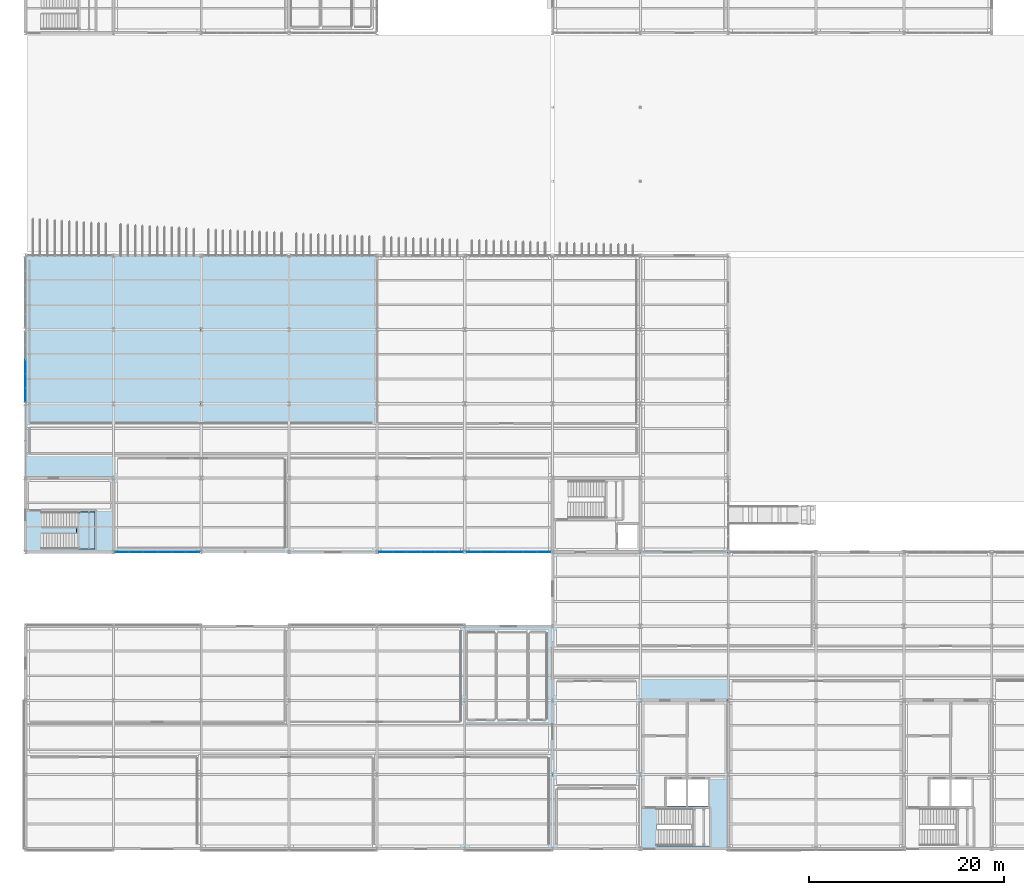
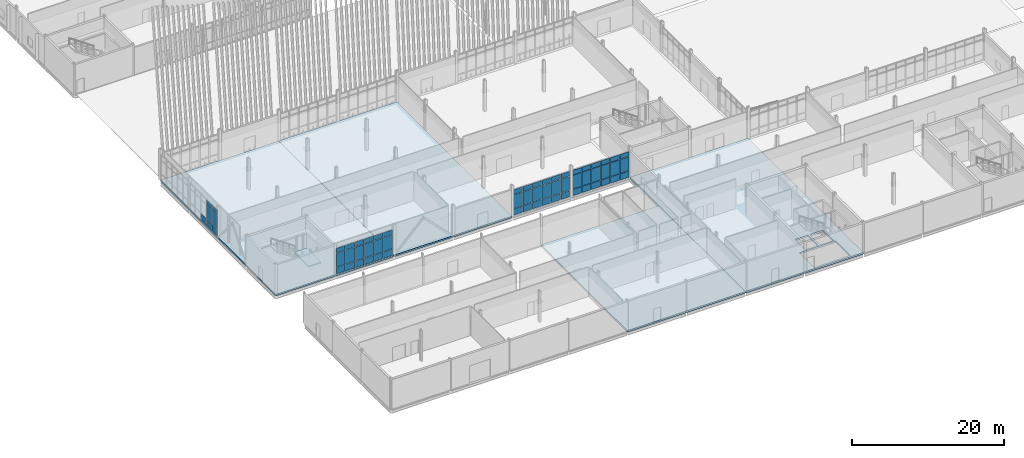
# One storey, part 121 of 161: 61 plates, 5 slabs, 5 elements without a shape of their own.
"""IFC4 building model written with IfcOpenShell, lengths in metres."""

from ifc_helpers import new_model, si_unit, direction, frame, origin, origin_2d, place, context, subcontext, project, spatial, polyline, rectangle, outline, extrude, material, layer, layer_set, type_object, element, aggregate, save


model = new_model("IFC4")

# Units and contexts
model_context = context("Model", 3, precision=1e-05, world=origin(), true_north=direction((0.0, 1.0)))
body_context = subcontext(model_context, "Body", "Model", "MODEL_VIEW")
ifc_project = project(units=[si_unit("LENGTHUNIT", "METRE"), si_unit("AREAUNIT", "SQUARE_METRE"), si_unit("VOLUMEUNIT", "CUBIC_METRE"), si_unit("PLANEANGLEUNIT", "RADIAN"), si_unit("MASSUNIT", "GRAM", prefix="KILO")], contexts=[model_context])

# Site, building, storey
site_placement = place(None, origin())
site = spatial("IfcSite", under=ifc_project, at=site_placement, CompositionType="ELEMENT")
building_placement = place(site_placement, origin())
building = spatial("IfcBuilding", under=site, at=building_placement, Name="Caisbarro Railhouse Central Library", CompositionType="ELEMENT")
storey_placement = place(building_placement, origin())
storey = spatial("IfcBuildingStorey", under=building, at=storey_placement, Name="L00", CompositionType="ELEMENT", Elevation=0.0)

# Curtain wall, plates
ifc_material_1 = material(Name="Anodised architectural aluminium", Category="aluminium")
curtain_wall_type = type_object("IfcCurtainWallType", Name="CW-CW02", PredefinedType="NOTDEFINED", material=ifc_material_1)
curtain_wall_1_placement = place(storey_placement, origin())
curtain_wall_1 = element("IfcCurtainWall", 1, at=curtain_wall_1_placement, inside=storey, type_object=curtain_wall_type, Name="CW02 curtain wall L00 #25", PredefinedType="NOTDEFINED")
ifc_material_2 = material(Name="Double low-e laminated solar-control glass", Category="glass")
ifc_layer_1 = layer(ifc_material_2, 0.028076171875, Name="Double low-e laminated solar-control glass")
ifc_layer_set_1 = layer_set([ifc_layer_1], Name="Double low-e laminated solar-control glass")
plate_type_1 = type_object("IfcPlateType", Name="CWP-CP28", PredefinedType="CURTAIN_PANEL", material=ifc_layer_set_1)
plate_1_placement = place(storey_placement, frame((9.899658203125, 30.39990234375, 0.06494140625), z_axis=(0.0, 0.0, 1.0), x_axis=(1.0, 0.0, 0.0)))
plate_1 = element("IfcPlate", 2, at=plate_1_placement, type_object=plate_type_1, Name="CW02 panel 1.1", PredefinedType="CURTAIN_PANEL", context=body_context, shape_type="SweptSolid", body=[
    extrude(rectangle(XDim=1.34912109375, YDim=0.028076171875, at=origin_2d()), origin(), (0.0, 0.0, 1.0), 1.0224609375),
])
plate_2_placement = place(storey_placement, frame((9.899658203125, 30.39990234375, 1.15234375), z_axis=(0.0, 0.0, 1.0), x_axis=(1.0, 0.0, 0.0)))
plate_2 = element("IfcPlate", 3, at=plate_2_placement, type_object=plate_type_1, Name="CW02 panel 1.2", PredefinedType="CURTAIN_PANEL", context=body_context, shape_type="SweptSolid", body=[
    extrude(rectangle(XDim=1.34912109375, YDim=0.028076171875, at=origin_2d()), origin(), (0.0, 0.0, 1.0), 2.215087890625),
])
plate_3_placement = place(storey_placement, frame((9.899658203125, 30.39990234375, 3.4326171875), z_axis=(0.0, 0.0, 1.0), x_axis=(1.0, 0.0, 0.0)))
plate_3 = element("IfcPlate", 4, at=plate_3_placement, type_object=plate_type_1, Name="CW02 panel 1.3", PredefinedType="CURTAIN_PANEL", context=body_context, shape_type="SweptSolid", body=[
    extrude(rectangle(XDim=1.34912109375, YDim=0.028076171875, at=origin_2d()), origin(), (0.0, 0.0, 1.0), 0.75244140625),
])
plate_4_placement = place(storey_placement, frame((11.330078125, 30.39990234375, 0.06494140625), z_axis=(0.0, 0.0, 1.0), x_axis=(1.0, 0.0, 0.0)))
plate_4 = element("IfcPlate", 5, at=plate_4_placement, type_object=plate_type_1, Name="CW02 panel 2.1", PredefinedType="CURTAIN_PANEL", context=body_context, shape_type="SweptSolid", body=[
    extrude(rectangle(XDim=1.381591796875, YDim=0.028076171875, at=origin_2d()), origin(), (0.0, 0.0, 1.0), 1.0224609375),
])
plate_5_placement = place(storey_placement, frame((11.330078125, 30.39990234375, 1.15234375), z_axis=(0.0, 0.0, 1.0), x_axis=(1.0, 0.0, 0.0)))
plate_5 = element("IfcPlate", 6, at=plate_5_placement, type_object=plate_type_1, Name="CW02 panel 2.2", PredefinedType="CURTAIN_PANEL", context=body_context, shape_type="SweptSolid", body=[
    extrude(rectangle(XDim=1.381591796875, YDim=0.028076171875, at=origin_2d()), origin(), (0.0, 0.0, 1.0), 2.215087890625),
])
plate_6_placement = place(storey_placement, frame((11.330078125, 30.39990234375, 3.4326171875), z_axis=(0.0, 0.0, 1.0), x_axis=(1.0, 0.0, 0.0)))
plate_6 = element("IfcPlate", 7, at=plate_6_placement, type_object=plate_type_1, Name="CW02 panel 2.3", PredefinedType="CURTAIN_PANEL", context=body_context, shape_type="SweptSolid", body=[
    extrude(rectangle(XDim=1.381591796875, YDim=0.028076171875, at=origin_2d()), origin(), (0.0, 0.0, 1.0), 0.75244140625),
])
plate_7_placement = place(storey_placement, frame((12.776611328125, 30.39990234375, 0.06494140625), z_axis=(0.0, 0.0, 1.0), x_axis=(1.0, 0.0, 0.0)))
plate_7 = element("IfcPlate", 8, at=plate_7_placement, type_object=plate_type_1, Name="CW02 panel 3.1", PredefinedType="CURTAIN_PANEL", context=body_context, shape_type="SweptSolid", body=[
    extrude(rectangle(XDim=1.381591796875, YDim=0.028076171875, at=origin_2d()), origin(), (0.0, 0.0, 1.0), 1.0224609375),
])
plate_8_placement = place(storey_placement, frame((12.776611328125, 30.39990234375, 1.15234375), z_axis=(0.0, 0.0, 1.0), x_axis=(1.0, 0.0, 0.0)))
plate_8 = element("IfcPlate", 9, at=plate_8_placement, type_object=plate_type_1, Name="CW02 panel 3.2", PredefinedType="CURTAIN_PANEL", context=body_context, shape_type="SweptSolid", body=[
    extrude(rectangle(XDim=1.381591796875, YDim=0.028076171875, at=origin_2d()), origin(), (0.0, 0.0, 1.0), 2.215087890625),
])
plate_9_placement = place(storey_placement, frame((12.776611328125, 30.39990234375, 3.4326171875), z_axis=(0.0, 0.0, 1.0), x_axis=(1.0, 0.0, 0.0)))
plate_9 = element("IfcPlate", 10, at=plate_9_placement, type_object=plate_type_1, Name="CW02 panel 3.3", PredefinedType="CURTAIN_PANEL", context=body_context, shape_type="SweptSolid", body=[
    extrude(rectangle(XDim=1.381591796875, YDim=0.028076171875, at=origin_2d()), origin(), (0.0, 0.0, 1.0), 0.75244140625),
])
plate_10_placement = place(storey_placement, frame((14.223388671875, 30.39990234375, 0.06494140625), z_axis=(0.0, 0.0, 1.0), x_axis=(1.0, 0.0, 0.0)))
plate_10 = element("IfcPlate", 11, at=plate_10_placement, type_object=plate_type_1, Name="CW02 panel 4.1", PredefinedType="CURTAIN_PANEL", context=body_context, shape_type="SweptSolid", body=[
    extrude(rectangle(XDim=1.381591796875, YDim=0.028076171875, at=origin_2d()), origin(), (0.0, 0.0, 1.0), 1.0224609375),
])
plate_11_placement = place(storey_placement, frame((14.223388671875, 30.39990234375, 1.15234375), z_axis=(0.0, 0.0, 1.0), x_axis=(1.0, 0.0, 0.0)))
plate_11 = element("IfcPlate", 12, at=plate_11_placement, type_object=plate_type_1, Name="CW02 panel 4.2", PredefinedType="CURTAIN_PANEL", context=body_context, shape_type="SweptSolid", body=[
    extrude(rectangle(XDim=1.381591796875, YDim=0.028076171875, at=origin_2d()), origin(), (0.0, 0.0, 1.0), 2.215087890625),
])
plate_12_placement = place(storey_placement, frame((14.223388671875, 30.39990234375, 3.4326171875), z_axis=(0.0, 0.0, 1.0), x_axis=(1.0, 0.0, 0.0)))
plate_12 = element("IfcPlate", 13, at=plate_12_placement, type_object=plate_type_1, Name="CW02 panel 4.3", PredefinedType="CURTAIN_PANEL", context=body_context, shape_type="SweptSolid", body=[
    extrude(rectangle(XDim=1.381591796875, YDim=0.028076171875, at=origin_2d()), origin(), (0.0, 0.0, 1.0), 0.75244140625),
])
plate_13_placement = place(storey_placement, frame((15.669921875, 30.39990234375, 0.06494140625), z_axis=(0.0, 0.0, 1.0), x_axis=(1.0, 0.0, 0.0)))
plate_13 = element("IfcPlate", 14, at=plate_13_placement, type_object=plate_type_1, Name="CW02 panel 5.1", PredefinedType="CURTAIN_PANEL", context=body_context, shape_type="SweptSolid", body=[
    extrude(rectangle(XDim=1.381591796875, YDim=0.028076171875, at=origin_2d()), origin(), (0.0, 0.0, 1.0), 1.0224609375),
])
plate_14_placement = place(storey_placement, frame((15.669921875, 30.39990234375, 1.15234375), z_axis=(0.0, 0.0, 1.0), x_axis=(1.0, 0.0, 0.0)))
plate_14 = element("IfcPlate", 15, at=plate_14_placement, type_object=plate_type_1, Name="CW02 panel 5.2", PredefinedType="CURTAIN_PANEL", context=body_context, shape_type="SweptSolid", body=[
    extrude(rectangle(XDim=1.381591796875, YDim=0.028076171875, at=origin_2d()), origin(), (0.0, 0.0, 1.0), 2.215087890625),
])
plate_15_placement = place(storey_placement, frame((15.669921875, 30.39990234375, 3.4326171875), z_axis=(0.0, 0.0, 1.0), x_axis=(1.0, 0.0, 0.0)))
plate_15 = element("IfcPlate", 16, at=plate_15_placement, type_object=plate_type_1, Name="CW02 panel 5.3", PredefinedType="CURTAIN_PANEL", context=body_context, shape_type="SweptSolid", body=[
    extrude(rectangle(XDim=1.381591796875, YDim=0.028076171875, at=origin_2d()), origin(), (0.0, 0.0, 1.0), 0.75244140625),
])
plate_16_placement = place(storey_placement, frame((17.100341796875, 30.39990234375, 0.06494140625), z_axis=(0.0, 0.0, 1.0), x_axis=(1.0, 0.0, 0.0)))
plate_16 = element("IfcPlate", 17, at=plate_16_placement, type_object=plate_type_1, Name="CW02 panel 6.1", PredefinedType="CURTAIN_PANEL", context=body_context, shape_type="SweptSolid", body=[
    extrude(rectangle(XDim=1.34912109375, YDim=0.028076171875, at=origin_2d()), origin(), (0.0, 0.0, 1.0), 1.0224609375),
])
plate_17_placement = place(storey_placement, frame((17.100341796875, 30.39990234375, 1.15234375), z_axis=(0.0, 0.0, 1.0), x_axis=(1.0, 0.0, 0.0)))
plate_17 = element("IfcPlate", 18, at=plate_17_placement, type_object=plate_type_1, Name="CW02 panel 6.2", PredefinedType="CURTAIN_PANEL", context=body_context, shape_type="SweptSolid", body=[
    extrude(rectangle(XDim=1.34912109375, YDim=0.028076171875, at=origin_2d()), origin(), (0.0, 0.0, 1.0), 2.215087890625),
])
plate_18_placement = place(storey_placement, frame((17.100341796875, 30.39990234375, 3.4326171875), z_axis=(0.0, 0.0, 1.0), x_axis=(1.0, 0.0, 0.0)))
plate_18 = element("IfcPlate", 19, at=plate_18_placement, type_object=plate_type_1, Name="CW02 panel 6.3", PredefinedType="CURTAIN_PANEL", context=body_context, shape_type="SweptSolid", body=[
    extrude(rectangle(XDim=1.34912109375, YDim=0.028076171875, at=origin_2d()), origin(), (0.0, 0.0, 1.0), 0.75244140625),
])
aggregate(curtain_wall_1, [plate_1, plate_2, plate_3, plate_4, plate_5, plate_6, plate_7, plate_8, plate_9, plate_10, plate_11, plate_12, plate_13, plate_14, plate_15, plate_16, plate_17, plate_18])

curtain_wall_2_placement = place(storey_placement, origin())
curtain_wall_2 = element("IfcCurtainWall", 20, at=curtain_wall_2_placement, inside=storey, type_object=curtain_wall_type, Name="CW02 curtain wall L00 #21", PredefinedType="NOTDEFINED")
ifc_layer_2 = layer(ifc_material_2, 0.0380859375, Name="Double low-e laminated solar-control glass")
ifc_layer_set_2 = layer_set([ifc_layer_2], Name="Double low-e laminated solar-control glass")
plate_type_2 = type_object("IfcPlateType", Name="CWP-CP38", PredefinedType="CURTAIN_PANEL", material=ifc_layer_set_2)
plate_19_placement = place(storey_placement, frame((0.0, 46.504150390625, 0.0751953125), z_axis=(0.0, 0.0, 1.0), x_axis=(0.0, 1.0, 0.0)))
plate_19 = element("IfcPlate", 21, at=plate_19_placement, type_object=plate_type_2, Name="CW02 panel 1.1", PredefinedType="CURTAIN_PANEL", context=body_context, shape_type="SweptSolid", body=[
    extrude(rectangle(XDim=1.3583984375, YDim=0.0380859375, at=origin_2d()), origin(), (0.0, 0.0, 1.0), 1.007568359375),
])
plate_20_placement = place(storey_placement, frame((0.0, 46.504150390625, 1.157470703125), z_axis=(0.0, 0.0, 1.0), x_axis=(0.0, 1.0, 0.0)))
plate_20 = element("IfcPlate", 22, at=plate_20_placement, type_object=plate_type_2, Name="CW02 panel 1.2", PredefinedType="CURTAIN_PANEL", context=body_context, shape_type="SweptSolid", body=[
    extrude(rectangle(XDim=1.3583984375, YDim=0.0380859375, at=origin_2d()), origin(), (0.0, 0.0, 1.0), 2.205078125),
])
plate_21_placement = place(storey_placement, frame((0.0, 46.504150390625, 3.4375), z_axis=(0.0, 0.0, 1.0), x_axis=(0.0, 1.0, 0.0)))
plate_21 = element("IfcPlate", 23, at=plate_21_placement, type_object=plate_type_2, Name="CW02 panel 1.3", PredefinedType="CURTAIN_PANEL", context=body_context, shape_type="SweptSolid", body=[
    extrude(rectangle(XDim=1.3583984375, YDim=0.0380859375, at=origin_2d()), origin(), (0.0, 0.0, 1.0), 0.737548828125),
])
plate_22_placement = place(storey_placement, frame((0.0, 47.944091796875, 0.0751953125), z_axis=(0.0, 0.0, 1.0), x_axis=(0.0, 1.0, 0.0)))
plate_22 = element("IfcPlate", 24, at=plate_22_placement, type_object=plate_type_2, Name="CW02 panel 2.1", PredefinedType="CURTAIN_PANEL", context=body_context, shape_type="SweptSolid", body=[
    extrude(rectangle(XDim=1.39111328125, YDim=0.0380859375, at=origin_2d()), origin(), (0.0, 0.0, 1.0), 1.007568359375),
])
plate_23_placement = place(storey_placement, frame((0.0, 47.944091796875, 1.157470703125), z_axis=(0.0, 0.0, 1.0), x_axis=(0.0, 1.0, 0.0)))
plate_23 = element("IfcPlate", 25, at=plate_23_placement, type_object=plate_type_2, Name="CW02 panel 2.2", PredefinedType="CURTAIN_PANEL", context=body_context, shape_type="SweptSolid", body=[
    extrude(rectangle(XDim=1.39111328125, YDim=0.0380859375, at=origin_2d()), origin(), (0.0, 0.0, 1.0), 2.205078125),
])
plate_24_placement = place(storey_placement, frame((0.0, 47.944091796875, 3.4375), z_axis=(0.0, 0.0, 1.0), x_axis=(0.0, 1.0, 0.0)))
plate_24 = element("IfcPlate", 26, at=plate_24_placement, type_object=plate_type_2, Name="CW02 panel 2.3", PredefinedType="CURTAIN_PANEL", context=body_context, shape_type="SweptSolid", body=[
    extrude(rectangle(XDim=1.39111328125, YDim=0.0380859375, at=origin_2d()), origin(), (0.0, 0.0, 1.0), 0.737548828125),
])
plate_25_placement = place(storey_placement, frame((0.0, 49.39990234375, 0.0751953125), z_axis=(0.0, 0.0, 1.0), x_axis=(0.0, 1.0, 0.0)))
plate_25 = element("IfcPlate", 27, at=plate_25_placement, type_object=plate_type_2, Name="CW02 panel 3.1", PredefinedType="CURTAIN_PANEL", context=body_context, shape_type="SweptSolid", body=[
    extrude(rectangle(XDim=1.39111328125, YDim=0.0380859375, at=origin_2d()), origin(), (0.0, 0.0, 1.0), 1.007568359375),
])
aggregate(curtain_wall_2, [plate_19, plate_20, plate_21, plate_22, plate_23, plate_24, plate_25])

curtain_wall_3_placement = place(storey_placement, origin())
curtain_wall_3 = element("IfcCurtainWall", 28, at=curtain_wall_3_placement, inside=storey, type_object=curtain_wall_type, Name="CW02 curtain wall L00 #26", PredefinedType="NOTDEFINED")
ifc_layer_3 = layer(ifc_material_2, 0.05810546875, Name="Double low-e laminated solar-control glass")
ifc_layer_set_3 = layer_set([ifc_layer_3], Name="Double low-e laminated solar-control glass")
plate_type_3 = type_object("IfcPlateType", Name="CWP-CP58", PredefinedType="CURTAIN_PANEL", material=ifc_layer_set_3)
plate_26_placement = place(storey_placement, frame((36.899658203125, 30.39990234375, 0.06494140625), z_axis=(0.0, 0.0, 1.0), x_axis=(1.0, 0.0, 0.0)))
plate_26 = element("IfcPlate", 29, at=plate_26_placement, type_object=plate_type_3, Name="CW02 panel 1.1", PredefinedType="CURTAIN_PANEL", context=body_context, shape_type="SweptSolid", body=[
    extrude(rectangle(XDim=1.34912109375, YDim=0.05810546875, at=origin_2d()), origin(), (0.0, 0.0, 1.0), 1.0224609375),
])
plate_27_placement = place(storey_placement, frame((36.899658203125, 30.39990234375, 1.15234375), z_axis=(0.0, 0.0, 1.0), x_axis=(1.0, 0.0, 0.0)))
plate_27 = element("IfcPlate", 30, at=plate_27_placement, type_object=plate_type_3, Name="CW02 panel 1.2", PredefinedType="CURTAIN_PANEL", context=body_context, shape_type="SweptSolid", body=[
    extrude(rectangle(XDim=1.34912109375, YDim=0.05810546875, at=origin_2d()), origin(), (0.0, 0.0, 1.0), 2.215087890625),
])
plate_28_placement = place(storey_placement, frame((36.899658203125, 30.39990234375, 3.4326171875), z_axis=(0.0, 0.0, 1.0), x_axis=(1.0, 0.0, 0.0)))
plate_28 = element("IfcPlate", 31, at=plate_28_placement, type_object=plate_type_3, Name="CW02 panel 1.3", PredefinedType="CURTAIN_PANEL", context=body_context, shape_type="SweptSolid", body=[
    extrude(rectangle(XDim=1.34912109375, YDim=0.05810546875, at=origin_2d()), origin(), (0.0, 0.0, 1.0), 0.75244140625),
])
plate_29_placement = place(storey_placement, frame((38.330078125, 30.39990234375, 0.06494140625), z_axis=(0.0, 0.0, 1.0), x_axis=(1.0, 0.0, 0.0)))
plate_29 = element("IfcPlate", 32, at=plate_29_placement, type_object=plate_type_3, Name="CW02 panel 2.1", PredefinedType="CURTAIN_PANEL", context=body_context, shape_type="SweptSolid", body=[
    extrude(rectangle(XDim=1.381591796875, YDim=0.05810546875, at=origin_2d()), origin(), (0.0, 0.0, 1.0), 1.0224609375),
])
plate_30_placement = place(storey_placement, frame((38.330078125, 30.39990234375, 1.15234375), z_axis=(0.0, 0.0, 1.0), x_axis=(1.0, 0.0, 0.0)))
plate_30 = element("IfcPlate", 33, at=plate_30_placement, type_object=plate_type_3, Name="CW02 panel 2.2", PredefinedType="CURTAIN_PANEL", context=body_context, shape_type="SweptSolid", body=[
    extrude(rectangle(XDim=1.381591796875, YDim=0.05810546875, at=origin_2d()), origin(), (0.0, 0.0, 1.0), 2.215087890625),
])
plate_31_placement = place(storey_placement, frame((38.330078125, 30.39990234375, 3.4326171875), z_axis=(0.0, 0.0, 1.0), x_axis=(1.0, 0.0, 0.0)))
plate_31 = element("IfcPlate", 34, at=plate_31_placement, type_object=plate_type_3, Name="CW02 panel 2.3", PredefinedType="CURTAIN_PANEL", context=body_context, shape_type="SweptSolid", body=[
    extrude(rectangle(XDim=1.381591796875, YDim=0.05810546875, at=origin_2d()), origin(), (0.0, 0.0, 1.0), 0.75244140625),
])
plate_32_placement = place(storey_placement, frame((39.776611328125, 30.39990234375, 0.06494140625), z_axis=(0.0, 0.0, 1.0), x_axis=(1.0, 0.0, 0.0)))
plate_32 = element("IfcPlate", 35, at=plate_32_placement, type_object=plate_type_3, Name="CW02 panel 3.1", PredefinedType="CURTAIN_PANEL", context=body_context, shape_type="SweptSolid", body=[
    extrude(rectangle(XDim=1.381591796875, YDim=0.05810546875, at=origin_2d()), origin(), (0.0, 0.0, 1.0), 1.0224609375),
])
plate_33_placement = place(storey_placement, frame((39.776611328125, 30.39990234375, 1.15234375), z_axis=(0.0, 0.0, 1.0), x_axis=(1.0, 0.0, 0.0)))
plate_33 = element("IfcPlate", 36, at=plate_33_placement, type_object=plate_type_3, Name="CW02 panel 3.2", PredefinedType="CURTAIN_PANEL", context=body_context, shape_type="SweptSolid", body=[
    extrude(rectangle(XDim=1.381591796875, YDim=0.05810546875, at=origin_2d()), origin(), (0.0, 0.0, 1.0), 2.215087890625),
])
plate_34_placement = place(storey_placement, frame((39.776611328125, 30.39990234375, 3.4326171875), z_axis=(0.0, 0.0, 1.0), x_axis=(1.0, 0.0, 0.0)))
plate_34 = element("IfcPlate", 37, at=plate_34_placement, type_object=plate_type_3, Name="CW02 panel 3.3", PredefinedType="CURTAIN_PANEL", context=body_context, shape_type="SweptSolid", body=[
    extrude(rectangle(XDim=1.381591796875, YDim=0.05810546875, at=origin_2d()), origin(), (0.0, 0.0, 1.0), 0.75244140625),
])
plate_35_placement = place(storey_placement, frame((41.223388671875, 30.39990234375, 0.06494140625), z_axis=(0.0, 0.0, 1.0), x_axis=(1.0, 0.0, 0.0)))
plate_35 = element("IfcPlate", 38, at=plate_35_placement, type_object=plate_type_3, Name="CW02 panel 4.1", PredefinedType="CURTAIN_PANEL", context=body_context, shape_type="SweptSolid", body=[
    extrude(rectangle(XDim=1.381591796875, YDim=0.05810546875, at=origin_2d()), origin(), (0.0, 0.0, 1.0), 1.0224609375),
])
plate_36_placement = place(storey_placement, frame((41.223388671875, 30.39990234375, 1.15234375), z_axis=(0.0, 0.0, 1.0), x_axis=(1.0, 0.0, 0.0)))
plate_36 = element("IfcPlate", 39, at=plate_36_placement, type_object=plate_type_3, Name="CW02 panel 4.2", PredefinedType="CURTAIN_PANEL", context=body_context, shape_type="SweptSolid", body=[
    extrude(rectangle(XDim=1.381591796875, YDim=0.05810546875, at=origin_2d()), origin(), (0.0, 0.0, 1.0), 2.215087890625),
])
plate_37_placement = place(storey_placement, frame((41.223388671875, 30.39990234375, 3.4326171875), z_axis=(0.0, 0.0, 1.0), x_axis=(1.0, 0.0, 0.0)))
plate_37 = element("IfcPlate", 40, at=plate_37_placement, type_object=plate_type_3, Name="CW02 panel 4.3", PredefinedType="CURTAIN_PANEL", context=body_context, shape_type="SweptSolid", body=[
    extrude(rectangle(XDim=1.381591796875, YDim=0.05810546875, at=origin_2d()), origin(), (0.0, 0.0, 1.0), 0.75244140625),
])
plate_38_placement = place(storey_placement, frame((42.669921875, 30.39990234375, 0.06494140625), z_axis=(0.0, 0.0, 1.0), x_axis=(1.0, 0.0, 0.0)))
plate_38 = element("IfcPlate", 41, at=plate_38_placement, type_object=plate_type_3, Name="CW02 panel 5.1", PredefinedType="CURTAIN_PANEL", context=body_context, shape_type="SweptSolid", body=[
    extrude(rectangle(XDim=1.381591796875, YDim=0.05810546875, at=origin_2d()), origin(), (0.0, 0.0, 1.0), 1.0224609375),
])
plate_39_placement = place(storey_placement, frame((42.669921875, 30.39990234375, 1.15234375), z_axis=(0.0, 0.0, 1.0), x_axis=(1.0, 0.0, 0.0)))
plate_39 = element("IfcPlate", 42, at=plate_39_placement, type_object=plate_type_3, Name="CW02 panel 5.2", PredefinedType="CURTAIN_PANEL", context=body_context, shape_type="SweptSolid", body=[
    extrude(rectangle(XDim=1.381591796875, YDim=0.05810546875, at=origin_2d()), origin(), (0.0, 0.0, 1.0), 2.215087890625),
])
plate_40_placement = place(storey_placement, frame((42.669921875, 30.39990234375, 3.4326171875), z_axis=(0.0, 0.0, 1.0), x_axis=(1.0, 0.0, 0.0)))
plate_40 = element("IfcPlate", 43, at=plate_40_placement, type_object=plate_type_3, Name="CW02 panel 5.3", PredefinedType="CURTAIN_PANEL", context=body_context, shape_type="SweptSolid", body=[
    extrude(rectangle(XDim=1.381591796875, YDim=0.05810546875, at=origin_2d()), origin(), (0.0, 0.0, 1.0), 0.75244140625),
])
plate_41_placement = place(storey_placement, frame((44.100341796875, 30.39990234375, 0.06494140625), z_axis=(0.0, 0.0, 1.0), x_axis=(1.0, 0.0, 0.0)))
plate_41 = element("IfcPlate", 44, at=plate_41_placement, type_object=plate_type_3, Name="CW02 panel 6.1", PredefinedType="CURTAIN_PANEL", context=body_context, shape_type="SweptSolid", body=[
    extrude(rectangle(XDim=1.34912109375, YDim=0.05810546875, at=origin_2d()), origin(), (0.0, 0.0, 1.0), 1.0224609375),
])
plate_42_placement = place(storey_placement, frame((44.100341796875, 30.39990234375, 1.15234375), z_axis=(0.0, 0.0, 1.0), x_axis=(1.0, 0.0, 0.0)))
plate_42 = element("IfcPlate", 45, at=plate_42_placement, type_object=plate_type_3, Name="CW02 panel 6.2", PredefinedType="CURTAIN_PANEL", context=body_context, shape_type="SweptSolid", body=[
    extrude(rectangle(XDim=1.34912109375, YDim=0.05810546875, at=origin_2d()), origin(), (0.0, 0.0, 1.0), 2.215087890625),
])
plate_43_placement = place(storey_placement, frame((44.100341796875, 30.39990234375, 3.4326171875), z_axis=(0.0, 0.0, 1.0), x_axis=(1.0, 0.0, 0.0)))
plate_43 = element("IfcPlate", 46, at=plate_43_placement, type_object=plate_type_3, Name="CW02 panel 6.3", PredefinedType="CURTAIN_PANEL", context=body_context, shape_type="SweptSolid", body=[
    extrude(rectangle(XDim=1.34912109375, YDim=0.05810546875, at=origin_2d()), origin(), (0.0, 0.0, 1.0), 0.75244140625),
])
aggregate(curtain_wall_3, [plate_26, plate_27, plate_28, plate_29, plate_30, plate_31, plate_32, plate_33, plate_34, plate_35, plate_36, plate_37, plate_38, plate_39, plate_40, plate_41, plate_42, plate_43])

curtain_wall_4_placement = place(storey_placement, origin())
curtain_wall_4 = element("IfcCurtainWall", 47, at=curtain_wall_4_placement, inside=storey, type_object=curtain_wall_type, Name="CW02 curtain wall L00 #27", PredefinedType="NOTDEFINED")
ifc_layer_4 = layer(ifc_material_2, 0.068115234375, Name="Double low-e laminated solar-control glass")
ifc_layer_set_4 = layer_set([ifc_layer_4], Name="Double low-e laminated solar-control glass")
plate_type_4 = type_object("IfcPlateType", Name="CWP-CP68", PredefinedType="CURTAIN_PANEL", material=ifc_layer_set_4)
plate_44_placement = place(storey_placement, frame((45.899658203125, 30.39990234375, 0.06494140625), z_axis=(0.0, 0.0, 1.0), x_axis=(1.0, 0.0, 0.0)))
plate_44 = element("IfcPlate", 48, at=plate_44_placement, type_object=plate_type_4, Name="CW02 panel 1.1", PredefinedType="CURTAIN_PANEL", context=body_context, shape_type="SweptSolid", body=[
    extrude(rectangle(XDim=1.34912109375, YDim=0.068115234375, at=origin_2d()), origin(), (0.0, 0.0, 1.0), 1.0224609375),
])
plate_45_placement = place(storey_placement, frame((45.899658203125, 30.39990234375, 1.15234375), z_axis=(0.0, 0.0, 1.0), x_axis=(1.0, 0.0, 0.0)))
plate_45 = element("IfcPlate", 49, at=plate_45_placement, type_object=plate_type_4, Name="CW02 panel 1.2", PredefinedType="CURTAIN_PANEL", context=body_context, shape_type="SweptSolid", body=[
    extrude(rectangle(XDim=1.34912109375, YDim=0.068115234375, at=origin_2d()), origin(), (0.0, 0.0, 1.0), 2.215087890625),
])
plate_46_placement = place(storey_placement, frame((45.899658203125, 30.39990234375, 3.4326171875), z_axis=(0.0, 0.0, 1.0), x_axis=(1.0, 0.0, 0.0)))
plate_46 = element("IfcPlate", 50, at=plate_46_placement, type_object=plate_type_4, Name="CW02 panel 1.3", PredefinedType="CURTAIN_PANEL", context=body_context, shape_type="SweptSolid", body=[
    extrude(rectangle(XDim=1.34912109375, YDim=0.068115234375, at=origin_2d()), origin(), (0.0, 0.0, 1.0), 0.75244140625),
])
plate_47_placement = place(storey_placement, frame((47.330078125, 30.39990234375, 0.06494140625), z_axis=(0.0, 0.0, 1.0), x_axis=(1.0, 0.0, 0.0)))
plate_47 = element("IfcPlate", 51, at=plate_47_placement, type_object=plate_type_4, Name="CW02 panel 2.1", PredefinedType="CURTAIN_PANEL", context=body_context, shape_type="SweptSolid", body=[
    extrude(rectangle(XDim=1.381591796875, YDim=0.068115234375, at=origin_2d()), origin(), (0.0, 0.0, 1.0), 1.0224609375),
])
plate_48_placement = place(storey_placement, frame((47.330078125, 30.39990234375, 1.15234375), z_axis=(0.0, 0.0, 1.0), x_axis=(1.0, 0.0, 0.0)))
plate_48 = element("IfcPlate", 52, at=plate_48_placement, type_object=plate_type_4, Name="CW02 panel 2.2", PredefinedType="CURTAIN_PANEL", context=body_context, shape_type="SweptSolid", body=[
    extrude(rectangle(XDim=1.381591796875, YDim=0.068115234375, at=origin_2d()), origin(), (0.0, 0.0, 1.0), 2.215087890625),
])
plate_49_placement = place(storey_placement, frame((47.330078125, 30.39990234375, 3.4326171875), z_axis=(0.0, 0.0, 1.0), x_axis=(1.0, 0.0, 0.0)))
plate_49 = element("IfcPlate", 53, at=plate_49_placement, type_object=plate_type_4, Name="CW02 panel 2.3", PredefinedType="CURTAIN_PANEL", context=body_context, shape_type="SweptSolid", body=[
    extrude(rectangle(XDim=1.381591796875, YDim=0.068115234375, at=origin_2d()), origin(), (0.0, 0.0, 1.0), 0.75244140625),
])
plate_50_placement = place(storey_placement, frame((48.776611328125, 30.39990234375, 0.06494140625), z_axis=(0.0, 0.0, 1.0), x_axis=(1.0, 0.0, 0.0)))
plate_50 = element("IfcPlate", 54, at=plate_50_placement, type_object=plate_type_4, Name="CW02 panel 3.1", PredefinedType="CURTAIN_PANEL", context=body_context, shape_type="SweptSolid", body=[
    extrude(rectangle(XDim=1.381591796875, YDim=0.068115234375, at=origin_2d()), origin(), (0.0, 0.0, 1.0), 1.0224609375),
])
plate_51_placement = place(storey_placement, frame((48.776611328125, 30.39990234375, 1.15234375), z_axis=(0.0, 0.0, 1.0), x_axis=(1.0, 0.0, 0.0)))
plate_51 = element("IfcPlate", 55, at=plate_51_placement, type_object=plate_type_4, Name="CW02 panel 3.2", PredefinedType="CURTAIN_PANEL", context=body_context, shape_type="SweptSolid", body=[
    extrude(rectangle(XDim=1.381591796875, YDim=0.068115234375, at=origin_2d()), origin(), (0.0, 0.0, 1.0), 2.215087890625),
])
plate_52_placement = place(storey_placement, frame((48.776611328125, 30.39990234375, 3.4326171875), z_axis=(0.0, 0.0, 1.0), x_axis=(1.0, 0.0, 0.0)))
plate_52 = element("IfcPlate", 56, at=plate_52_placement, type_object=plate_type_4, Name="CW02 panel 3.3", PredefinedType="CURTAIN_PANEL", context=body_context, shape_type="SweptSolid", body=[
    extrude(rectangle(XDim=1.381591796875, YDim=0.068115234375, at=origin_2d()), origin(), (0.0, 0.0, 1.0), 0.75244140625),
])
plate_53_placement = place(storey_placement, frame((50.223388671875, 30.39990234375, 0.06494140625), z_axis=(0.0, 0.0, 1.0), x_axis=(1.0, 0.0, 0.0)))
plate_53 = element("IfcPlate", 57, at=plate_53_placement, type_object=plate_type_4, Name="CW02 panel 4.1", PredefinedType="CURTAIN_PANEL", context=body_context, shape_type="SweptSolid", body=[
    extrude(rectangle(XDim=1.381591796875, YDim=0.068115234375, at=origin_2d()), origin(), (0.0, 0.0, 1.0), 1.0224609375),
])
plate_54_placement = place(storey_placement, frame((50.223388671875, 30.39990234375, 1.15234375), z_axis=(0.0, 0.0, 1.0), x_axis=(1.0, 0.0, 0.0)))
plate_54 = element("IfcPlate", 58, at=plate_54_placement, type_object=plate_type_4, Name="CW02 panel 4.2", PredefinedType="CURTAIN_PANEL", context=body_context, shape_type="SweptSolid", body=[
    extrude(rectangle(XDim=1.381591796875, YDim=0.068115234375, at=origin_2d()), origin(), (0.0, 0.0, 1.0), 2.215087890625),
])
plate_55_placement = place(storey_placement, frame((50.223388671875, 30.39990234375, 3.4326171875), z_axis=(0.0, 0.0, 1.0), x_axis=(1.0, 0.0, 0.0)))
plate_55 = element("IfcPlate", 59, at=plate_55_placement, type_object=plate_type_4, Name="CW02 panel 4.3", PredefinedType="CURTAIN_PANEL", context=body_context, shape_type="SweptSolid", body=[
    extrude(rectangle(XDim=1.381591796875, YDim=0.068115234375, at=origin_2d()), origin(), (0.0, 0.0, 1.0), 0.75244140625),
])
plate_56_placement = place(storey_placement, frame((51.669921875, 30.39990234375, 0.06494140625), z_axis=(0.0, 0.0, 1.0), x_axis=(1.0, 0.0, 0.0)))
plate_56 = element("IfcPlate", 60, at=plate_56_placement, type_object=plate_type_4, Name="CW02 panel 5.1", PredefinedType="CURTAIN_PANEL", context=body_context, shape_type="SweptSolid", body=[
    extrude(rectangle(XDim=1.381591796875, YDim=0.068115234375, at=origin_2d()), origin(), (0.0, 0.0, 1.0), 1.0224609375),
])
plate_57_placement = place(storey_placement, frame((51.669921875, 30.39990234375, 1.15234375), z_axis=(0.0, 0.0, 1.0), x_axis=(1.0, 0.0, 0.0)))
plate_57 = element("IfcPlate", 61, at=plate_57_placement, type_object=plate_type_4, Name="CW02 panel 5.2", PredefinedType="CURTAIN_PANEL", context=body_context, shape_type="SweptSolid", body=[
    extrude(rectangle(XDim=1.381591796875, YDim=0.068115234375, at=origin_2d()), origin(), (0.0, 0.0, 1.0), 2.215087890625),
])
plate_58_placement = place(storey_placement, frame((51.669921875, 30.39990234375, 3.4326171875), z_axis=(0.0, 0.0, 1.0), x_axis=(1.0, 0.0, 0.0)))
plate_58 = element("IfcPlate", 62, at=plate_58_placement, type_object=plate_type_4, Name="CW02 panel 5.3", PredefinedType="CURTAIN_PANEL", context=body_context, shape_type="SweptSolid", body=[
    extrude(rectangle(XDim=1.381591796875, YDim=0.068115234375, at=origin_2d()), origin(), (0.0, 0.0, 1.0), 0.75244140625),
])
plate_59_placement = place(storey_placement, frame((53.100341796875, 30.39990234375, 0.06494140625), z_axis=(0.0, 0.0, 1.0), x_axis=(1.0, 0.0, 0.0)))
plate_59 = element("IfcPlate", 63, at=plate_59_placement, type_object=plate_type_4, Name="CW02 panel 6.1", PredefinedType="CURTAIN_PANEL", context=body_context, shape_type="SweptSolid", body=[
    extrude(rectangle(XDim=1.34912109375, YDim=0.068115234375, at=origin_2d()), origin(), (0.0, 0.0, 1.0), 1.0224609375),
])
plate_60_placement = place(storey_placement, frame((53.100341796875, 30.39990234375, 1.15234375), z_axis=(0.0, 0.0, 1.0), x_axis=(1.0, 0.0, 0.0)))
plate_60 = element("IfcPlate", 64, at=plate_60_placement, type_object=plate_type_4, Name="CW02 panel 6.2", PredefinedType="CURTAIN_PANEL", context=body_context, shape_type="SweptSolid", body=[
    extrude(rectangle(XDim=1.34912109375, YDim=0.068115234375, at=origin_2d()), origin(), (0.0, 0.0, 1.0), 2.215087890625),
])
plate_61_placement = place(storey_placement, frame((53.100341796875, 30.39990234375, 3.4326171875), z_axis=(0.0, 0.0, 1.0), x_axis=(1.0, 0.0, 0.0)))
plate_61 = element("IfcPlate", 65, at=plate_61_placement, type_object=plate_type_4, Name="CW02 panel 6.3", PredefinedType="CURTAIN_PANEL", context=body_context, shape_type="SweptSolid", body=[
    extrude(rectangle(XDim=1.34912109375, YDim=0.068115234375, at=origin_2d()), origin(), (0.0, 0.0, 1.0), 0.75244140625),
])
aggregate(curtain_wall_4, [plate_44, plate_45, plate_46, plate_47, plate_48, plate_49, plate_50, plate_51, plate_52, plate_53, plate_54, plate_55, plate_56, plate_57, plate_58, plate_59, plate_60, plate_61])

# Slabs
ifc_material_3 = material(Name="Concrete C35", Category="concrete")
ifc_layer_5 = layer(ifc_material_3, 0.25, Name="Concrete C35")
ifc_layer_set_5 = layer_set([ifc_layer_5], Name="Concrete C35")
slab_type_1 = type_object("IfcSlabType", Name="SLB-BS25", PredefinedType="BASESLAB", material=ifc_layer_set_5)
slab_1_placement = place(storey_placement, frame((0.0, 0.0, -0.25)))
element("IfcSlab", 66, at=slab_1_placement, inside=storey, type_object=slab_type_1, Name="SB25 structural slab L00 V1.1", PredefinedType="BASESLAB", context=body_context, shape_type="SweptSolid", body=[
    extrude(outline(polyline([(0.0, 30.39990234375), (18.0, 30.39990234375), (18.0, 60.800048828125), (0.0, 60.800048828125), (0.0, 30.39990234375)])), origin(), (0.0, 0.0, 1.0), 0.25),
])
slab_2_placement = place(storey_placement, frame((0.0, 0.0, -0.25)))
element("IfcSlab", 67, at=slab_2_placement, inside=storey, type_object=slab_type_1, Name="SB25 structural slab L00 V1.2", PredefinedType="BASESLAB", context=body_context, shape_type="SweptSolid", body=[
    extrude(outline(polyline([(18.0, 30.39990234375), (36.0, 30.39990234375), (36.0, 60.800048828125), (18.0, 60.800048828125), (18.0, 30.39990234375)])), origin(), (0.0, 0.0, 1.0), 0.25),
])
ifc_layer_6 = layer(ifc_material_3, 0.280029296875, Name="Concrete C35")
ifc_layer_set_6 = layer_set([ifc_layer_6], Name="Concrete C35")
slab_type_2 = type_object("IfcSlabType", Name="SLB-BS28", PredefinedType="BASESLAB", material=ifc_layer_set_6)
slab_3_placement = place(storey_placement, frame((0.0, 0.0, -0.280029296875)))
element("IfcSlab", 68, at=slab_3_placement, inside=storey, type_object=slab_type_2, Name="SB28 structural slab L00 V5W.3", PredefinedType="BASESLAB", context=body_context, shape_type="SweptSolid", body=[
    extrude(outline(polyline([(36.0, 0.0), (54.0, 0.0), (54.0, 22.800048828125), (36.0, 22.800048828125), (36.0, 0.0)])), origin(), (0.0, 0.0, 1.0), 0.280029296875),
])
slab_4_placement = place(storey_placement, frame((0.0, 0.0, -0.280029296875)))
element("IfcSlab", 69, at=slab_4_placement, inside=storey, type_object=slab_type_2, Name="SB28 structural slab L00 V5.1", PredefinedType="BASESLAB", context=body_context, shape_type="SweptSolid", body=[
    extrude(outline(polyline([(54.0, 0.0), (72.0, 0.0), (72.0, 30.39990234375), (54.0, 30.39990234375), (54.0, 0.0)]), holes=[polyline([(64.64990234375, 0.300048828125), (70.14990234375, 0.300048828125), (70.14990234375, 4.14990234375), (64.64990234375, 4.14990234375), (64.64990234375, 0.300048828125)]), polyline([(65.699951171875, 4.39990234375), (67.64990234375, 4.39990234375), (67.64990234375, 7.10009765625), (65.699951171875, 7.10009765625), (65.699951171875, 4.39990234375)]), polyline([(67.89990234375, 4.39990234375), (69.949951171875, 4.39990234375), (69.949951171875, 7.10009765625), (67.89990234375, 7.10009765625), (67.89990234375, 4.39990234375)])]), origin(), (0.0, 0.0, 1.0), 0.280029296875),
])

# Stair, slab
stair_type = type_object("IfcStairType", Name="STR-ST50", PredefinedType="HALF_TURN_STAIR", material=ifc_material_3)
stair_placement = place(storey_placement, origin())
stair = element("IfcStair", 70, at=stair_placement, inside=storey, type_object=stair_type, Name="Protected Stair ST-06 (L00)", PredefinedType="HALF_TURN_STAIR")
ifc_layer_7 = layer(ifc_material_3, 0.18994140625, Name="Concrete C35")
ifc_layer_set_7 = layer_set([ifc_layer_7], Name="Concrete C35")
slab_type_3 = type_object("IfcSlabType", Name="SLB-LND19", PredefinedType="LANDING", material=ifc_layer_set_7)
slab_5_placement = place(storey_placement, frame((0.0, 0.0, 2.330078125)))
slab_5 = element("IfcSlab", 71, at=slab_5_placement, type_object=slab_type_3, Name="ST-06 landing 1", PredefinedType="LANDING", context=body_context, shape_type="SweptSolid", body=[
    extrude(outline(polyline([(5.199951171875, 30.739990234375), (7.1201171875, 30.739990234375), (7.1201171875, 34.510009765625), (5.199951171875, 34.510009765625), (5.199951171875, 30.739990234375)])), origin(), (0.0, 0.0, 1.0), 0.18994140625),
])
aggregate(stair, [slab_5])

save(model, "model.ifc")
